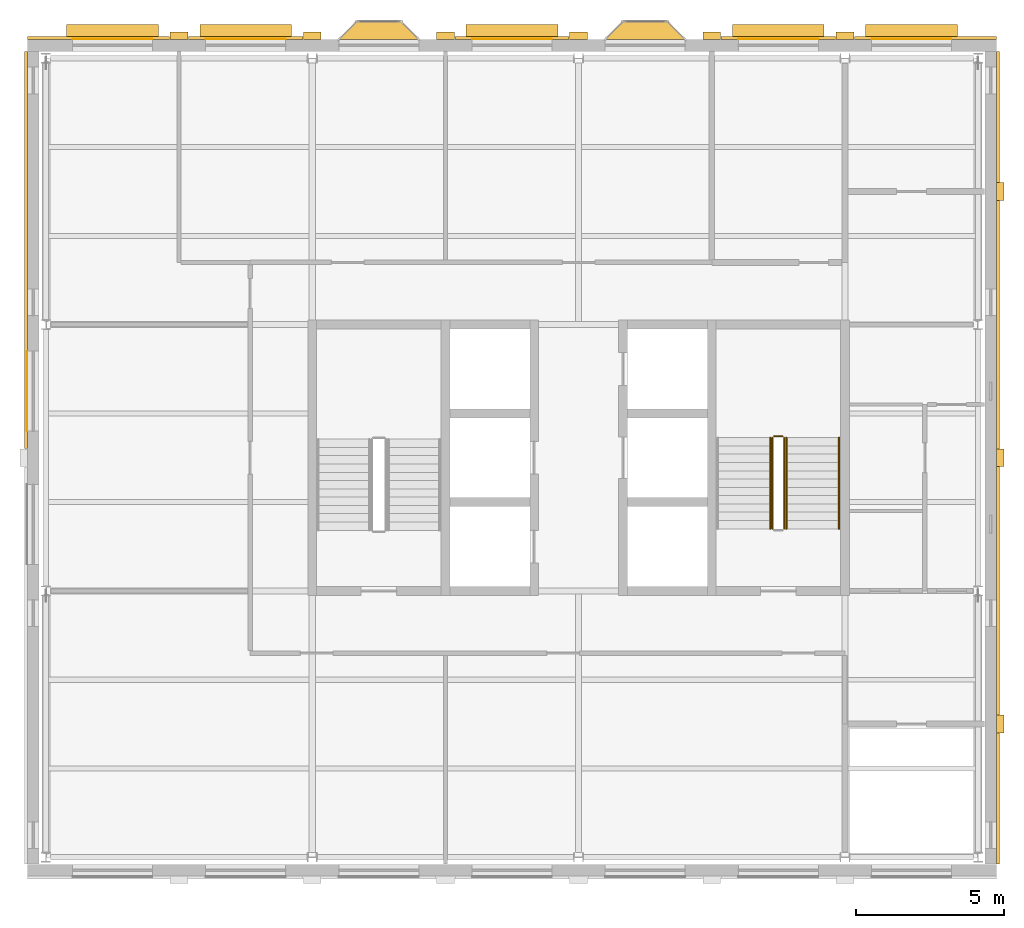
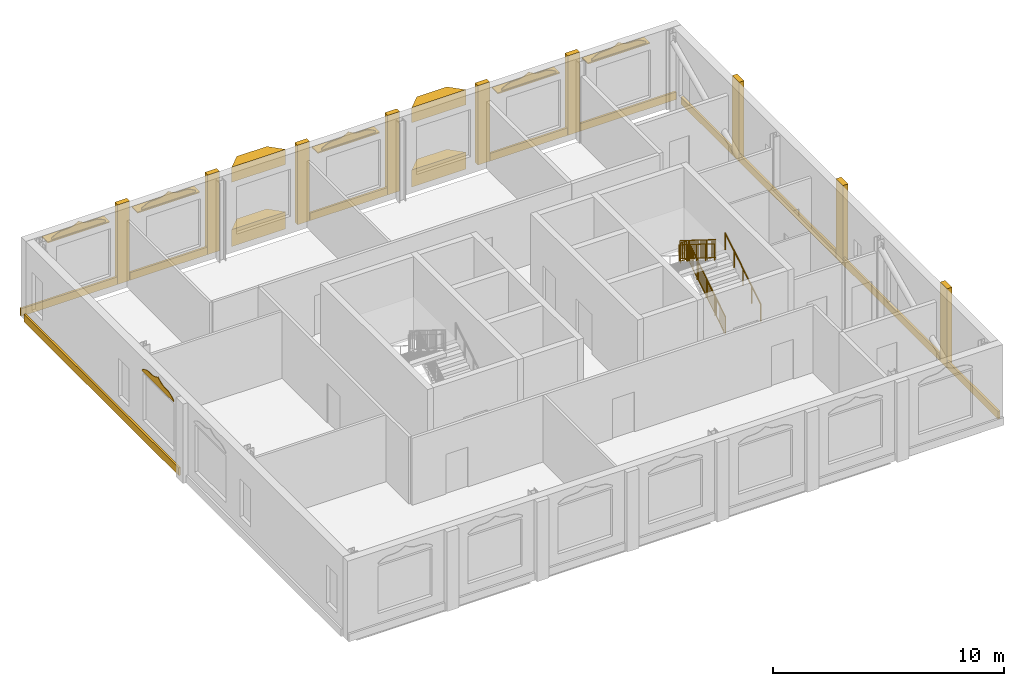
# One storey, part 9 of 9: 26 coverings, 6 railings, 5 shading devices.
"""IFC4 building model written with IfcOpenShell, lengths in metres."""

from ifc_helpers import new_model, si_unit, direction, frame, origin, origin_2d, place, context, subcontext, project, spatial, polyline, rectangle, circle, outline, extrude, material, layer, layer_set, type_object, element, save


model = new_model("IFC4")

# Units and contexts
model_context = context("Model", 3, precision=1e-05, world=origin(), true_north=direction((0.0, 1.0)))
body_context = subcontext(model_context, "Body", "Model", "MODEL_VIEW")
ifc_project = project(units=[si_unit("LENGTHUNIT", "METRE"), si_unit("AREAUNIT", "SQUARE_METRE"), si_unit("VOLUMEUNIT", "CUBIC_METRE"), si_unit("PLANEANGLEUNIT", "RADIAN"), si_unit("MASSUNIT", "GRAM", prefix="KILO")], contexts=[model_context])

# Site, building, storey
site_placement = place(None, origin())
site = spatial("IfcSite", under=ifc_project, at=site_placement, CompositionType="ELEMENT")
building_placement = place(site_placement, origin())
building = spatial("IfcBuilding", under=site, at=building_placement, Name="Hortulan Conservatory and Botanical Research Centre", CompositionType="ELEMENT")
storey_placement = place(building_placement, frame((0.0, 0.0, 31.800048828125)))
storey = spatial("IfcBuildingStorey", under=building, at=storey_placement, Name="L07", CompositionType="ELEMENT", Elevation=31.800048828125)

# Shading devices
ifc_material_1 = material(Name="Bronze-finished perforated aluminium", Category="aluminium")
ifc_layer_1 = layer(ifc_material_1, 0.06005859375)
ifc_layer_set_1 = layer_set([ifc_layer_1], Name="Catenary Hood 3100x500x60")
shading_device_type = type_object("IfcShadingDeviceType", Name="Catenary Hood 3100x500x60", PredefinedType="USERDEFINED", material=ifc_layer_set_1)
for number, where, z_axis, x_axis, name in (
    (1, (2.25, 27.885986328125, 3.409912109375), (0.0, 0.0, 1.0), (1.0, 0.0, 0.0), "Catenary hood"),
    (2, (6.75, 27.885986328125, 3.409912109375), (0.0, 0.0, 1.0), (1.0, 0.0, 0.0), "Catenary hood"),
    (3, (15.75, 27.885986328125, 3.409912109375), (0.0, 0.0, 1.0), (1.0, 0.0, 0.0), "Catenary hood"),
    (4, (24.75, 27.885986328125, 3.409912109375), (0.0, 0.0, 1.0), (1.0, 0.0, 0.0), "Catenary hood"),
    (5, (29.25, 27.885986328125, 3.409912109375), (0.0, 0.0, 1.0), (1.0, 0.0, 0.0), "Catenary hood"),
):
    element("IfcShadingDevice", number, at=place(storey_placement, frame(where, z_axis=z_axis, x_axis=x_axis)), inside=storey, type_object=shading_device_type, Name=name, ObjectType="Catenary hood", PredefinedType="USERDEFINED", context=body_context, shape_type="SweptSolid", body=[
        extrude(rectangle(XDim=3.10009765625, YDim=0.5, at=origin_2d()), origin(), (0.0, 0.0, 1.0), 0.06005859375),
    ])

# Coverings
ifc_material_2 = material(Name="Faience cladding, cream glaze (non-combustible)", Category="ceramic")
ifc_layer_2 = layer(ifc_material_2, 0.030029296875)
ifc_layer_set_2 = layer_set([ifc_layer_2], Name="Faience Ogee Head Panel Cream 2700x500")
covering_type_1 = type_object("IfcCoveringType", Name="Faience Ogee Head Panel Cream 2700x500", PredefinedType="CLADDING", material=ifc_layer_set_2)
for number, where, z_axis, x_axis, name in (
    (6, (-0.639892578125, 14.39990234375, 3.52001953125), (0.0, 0.0, 1.0), (0.0, 1.0, 0.0), "Ogee head panel"),
    (7, (14.39990234375, 27.65087890625, 3.52001953125), (0.0, 0.0, 1.0), (1.0, 0.0, 0.0), "Ogee head panel"),
):
    element("IfcCovering", number, at=place(storey_placement, frame(where, z_axis=z_axis, x_axis=x_axis)), inside=storey, type_object=covering_type_1, Name=name, PredefinedType="CLADDING", context=body_context, shape_type="SweptSolid", body=[
        extrude(outline(polyline([(0.0, 0.0), (2.699951171875, 0.0), (2.699951171875, 0.079833984375), (2.58740234375, 0.1484375), (2.47509765625, 0.208251953125), (2.362548828125, 0.252197265625), (2.25, 0.278076171875), (2.137451171875, 0.28857421875), (2.02490234375, 0.2900390625), (1.91259765625, 0.291259765625), (1.800048828125, 0.3017578125), (1.6875, 0.32763671875), (1.574951171875, 0.371826171875), (1.46240234375, 0.431396484375), (1.35009765625, 0.5), (1.237548828125, 0.431396484375), (1.125, 0.371826171875), (1.012451171875, 0.32763671875), (0.89990234375, 0.3017578125), (0.78759765625, 0.291259765625), (0.675048828125, 0.2900390625), (0.5625, 0.28857421875), (0.449951171875, 0.278076171875), (0.33740234375, 0.252197265625), (0.22509765625, 0.208251953125), (0.112548828125, 0.1484375), (0.0, 0.079833984375), (0.0, 0.0)])), frame((0.0, 0.01513671875, 0.0), z_axis=(0.0, -1.0, 0.0), x_axis=(1.0, 0.0, 0.0)), (0.0, 0.0, 1.0), 0.030029296875),
    ])
ifc_material_3 = material(Name="Faience cladding, waratah crimson glaze (non-combustible)", Category="ceramic")
ifc_layer_3 = layer(ifc_material_3, 0.030029296875)
ifc_layer_set_3 = layer_set([ifc_layer_3], Name="Faience Ogee Head Panel Crimson 2700x500")
covering_type_2 = type_object("IfcCoveringType", Name="Faience Ogee Head Panel Crimson 2700x500", PredefinedType="CLADDING", material=ifc_layer_set_3)
for number, where, z_axis, x_axis, name in (
    (8, (0.89990234375, 27.65087890625, 3.52001953125), (0.0, 0.0, 1.0), (1.0, 0.0, 0.0), "Ogee head panel"),
    (9, (23.39990234375, 27.65087890625, 3.52001953125), (0.0, 0.0, 1.0), (1.0, 0.0, 0.0), "Ogee head panel"),
    (10, (27.89990234375, 27.65087890625, 3.52001953125), (0.0, 0.0, 1.0), (1.0, 0.0, 0.0), "Ogee head panel"),
):
    element("IfcCovering", number, at=place(storey_placement, frame(where, z_axis=z_axis, x_axis=x_axis)), inside=storey, type_object=covering_type_2, Name=name, PredefinedType="CLADDING", context=body_context, shape_type="SweptSolid", body=[
        extrude(outline(polyline([(0.0, 0.0), (2.699951171875, 0.0), (2.699951171875, 0.079833984375), (2.58740234375, 0.1484375), (2.47509765625, 0.208251953125), (2.362548828125, 0.252197265625), (2.25, 0.278076171875), (2.137451171875, 0.28857421875), (2.02490234375, 0.2900390625), (1.91259765625, 0.291259765625), (1.800048828125, 0.3017578125), (1.6875, 0.32763671875), (1.574951171875, 0.371826171875), (1.46240234375, 0.431396484375), (1.35009765625, 0.5), (1.237548828125, 0.431396484375), (1.125, 0.371826171875), (1.012451171875, 0.32763671875), (0.89990234375, 0.3017578125), (0.78759765625, 0.291259765625), (0.675048828125, 0.2900390625), (0.5625, 0.28857421875), (0.449951171875, 0.278076171875), (0.33740234375, 0.252197265625), (0.22509765625, 0.208251953125), (0.112548828125, 0.1484375), (0.0, 0.079833984375), (0.0, 0.0)])), frame((0.0, 0.01513671875, 0.0), z_axis=(0.0, -1.0, 0.0), x_axis=(1.0, 0.0, 0.0)), (0.0, 0.0, 1.0), 0.030029296875),
    ])
ifc_material_4 = material(Name="Faience cladding, harbour teal glaze (non-combustible)", Category="ceramic")
ifc_layer_4 = layer(ifc_material_4, 0.030029296875)
ifc_layer_set_4 = layer_set([ifc_layer_4], Name="Faience Ogee Head Panel Teal 2700x500")
covering_type_3 = type_object("IfcCoveringType", Name="Faience Ogee Head Panel Teal 2700x500", PredefinedType="CLADDING", material=ifc_layer_set_4)
covering_1_placement = place(storey_placement, frame((5.39990234375, 27.65087890625, 3.52001953125), z_axis=(0.0, 0.0, 1.0), x_axis=(1.0, 0.0, 0.0)))
element("IfcCovering", 11, at=covering_1_placement, inside=storey, type_object=covering_type_3, Name="Ogee head panel", PredefinedType="CLADDING", context=body_context, shape_type="SweptSolid", body=[
    extrude(outline(polyline([(0.0, 0.0), (2.699951171875, 0.0), (2.699951171875, 0.079833984375), (2.58740234375, 0.1484375), (2.47509765625, 0.208251953125), (2.362548828125, 0.252197265625), (2.25, 0.278076171875), (2.137451171875, 0.28857421875), (2.02490234375, 0.2900390625), (1.91259765625, 0.291259765625), (1.800048828125, 0.3017578125), (1.6875, 0.32763671875), (1.574951171875, 0.371826171875), (1.46240234375, 0.431396484375), (1.35009765625, 0.5), (1.237548828125, 0.431396484375), (1.125, 0.371826171875), (1.012451171875, 0.32763671875), (0.89990234375, 0.3017578125), (0.78759765625, 0.291259765625), (0.675048828125, 0.2900390625), (0.5625, 0.28857421875), (0.449951171875, 0.278076171875), (0.33740234375, 0.252197265625), (0.22509765625, 0.208251953125), (0.112548828125, 0.1484375), (0.0, 0.079833984375), (0.0, 0.0)])), frame((0.0, 0.01513671875, 0.0), z_axis=(0.0, -1.0, 0.0), x_axis=(1.0, 0.0, 0.0)), (0.0, 0.0, 1.0), 0.030029296875),
])
ifc_material_5 = material(Name="Faience-faced brickwork masonry", Category="masonry")
covering_type_4 = type_object("IfcCoveringType", Name="Faience Oriel Base", PredefinedType="CLADDING", material=ifc_material_5)
covering_2_placement = place(storey_placement, origin())
element("IfcCovering", 12, at=covering_2_placement, inside=storey, type_object=covering_type_4, Name="Oriel base", PredefinedType="CLADDING", context=body_context, shape_type="SweptSolid", body=[
    extrude(outline(polyline([(9.89990234375, 27.635986328125), (10.5, 28.236083984375), (12.0, 28.236083984375), (12.60009765625, 27.635986328125), (9.89990234375, 27.635986328125)])), origin(), (0.0, 0.0, 1.0), 0.89990234375),
])
covering_3_placement = place(storey_placement, origin())
element("IfcCovering", 13, at=covering_3_placement, inside=storey, type_object=covering_type_4, Name="Oriel base", PredefinedType="CLADDING", context=body_context, shape_type="SweptSolid", body=[
    extrude(outline(polyline([(18.89990234375, 27.635986328125), (19.5, 28.236083984375), (21.0, 28.236083984375), (21.60009765625, 27.635986328125), (18.89990234375, 27.635986328125)])), origin(), (0.0, 0.0, 1.0), 0.89990234375),
])
covering_type_5 = type_object("IfcCoveringType", Name="Faience Oriel Frieze", PredefinedType="CLADDING", material=ifc_material_5)
covering_4_placement = place(storey_placement, frame((0.0, 0.0, 3.39990234375)))
element("IfcCovering", 14, at=covering_4_placement, inside=storey, type_object=covering_type_5, Name="Oriel frieze", PredefinedType="CLADDING", context=body_context, shape_type="SweptSolid", body=[
    extrude(outline(polyline([(9.89990234375, 27.635986328125), (10.5, 28.236083984375), (12.0, 28.236083984375), (12.60009765625, 27.635986328125), (9.89990234375, 27.635986328125)])), origin(), (0.0, 0.0, 1.0), 0.800048828125),
])
covering_5_placement = place(storey_placement, frame((0.0, 0.0, 3.39990234375)))
element("IfcCovering", 15, at=covering_5_placement, inside=storey, type_object=covering_type_5, Name="Oriel frieze", PredefinedType="CLADDING", context=body_context, shape_type="SweptSolid", body=[
    extrude(outline(polyline([(18.89990234375, 27.635986328125), (19.5, 28.236083984375), (21.0, 28.236083984375), (21.60009765625, 27.635986328125), (18.89990234375, 27.635986328125)])), origin(), (0.0, 0.0, 1.0), 0.800048828125),
])
ifc_layer_5 = layer(ifc_material_2, 0.25)
ifc_layer_set_5 = layer_set([ifc_layer_5], Name="Faience Pilaster 600x250")
covering_type_6 = type_object("IfcCoveringType", Name="Faience Pilaster 600x250", PredefinedType="CLADDING", material=ifc_layer_set_5)
for number, where, z_axis, x_axis, name in (
    (16, (4.5, 27.760986328125, 0.0), (0.0, 0.0, 1.0), (1.0, 0.0, 0.0), "Pier"),
    (17, (9.0, 27.760986328125, 0.0), (0.0, 0.0, 1.0), (1.0, 0.0, 0.0), "Pier"),
    (18, (13.5, 27.760986328125, 0.0), (0.0, 0.0, 1.0), (1.0, 0.0, 0.0), "Pier"),
    (19, (18.0, 27.760986328125, 0.0), (0.0, 0.0, 1.0), (1.0, 0.0, 0.0), "Pier"),
    (20, (22.5, 27.760986328125, 0.0), (0.0, 0.0, 1.0), (1.0, 0.0, 0.0), "Pier"),
    (21, (27.0, 27.760986328125, 0.0), (0.0, 0.0, 1.0), (1.0, 0.0, 0.0), "Pier"),
    (22, (32.25, 4.5, 0.0), (0.0, 0.0, 1.0), (0.0, 1.0, 0.0), "Pier"),
    (23, (32.25, 13.5, 0.0), (0.0, 0.0, 1.0), (0.0, 1.0, 0.0), "Pier"),
    (24, (32.25, 22.5, 0.0), (0.0, 0.0, 1.0), (0.0, 1.0, 0.0), "Pier"),
):
    element("IfcCovering", number, at=place(storey_placement, frame(where, z_axis=z_axis, x_axis=x_axis)), inside=storey, type_object=covering_type_6, Name=name, PredefinedType="CLADDING", context=body_context, shape_type="SweptSolid", body=[
        extrude(rectangle(XDim=0.60009765625, YDim=0.25, at=origin_2d()), origin(), (0.0, 0.0, 1.0), 4.199951171875),
    ])
ifc_layer_6 = layer(ifc_material_4, 0.10009765625)
ifc_layer_set_6 = layer_set([ifc_layer_6], Name="Faience String Course 400x100 Teal")
covering_type_7 = type_object("IfcCoveringType", Name="Faience String Course 400x100 Teal", PredefinedType="CLADDING", material=ifc_layer_set_6)
covering_6_placement = place(storey_placement, frame((-0.675048828125, 20.5224609375, 0.0), z_axis=(0.0, 0.0, 1.0), x_axis=(0.0, 1.0, 0.0)))
element("IfcCovering", 25, at=covering_6_placement, inside=storey, type_object=covering_type_7, Name="String course", PredefinedType="CLADDING", context=body_context, shape_type="SweptSolid", body=[
    extrude(rectangle(XDim=13.405029296875, YDim=0.10009765625, at=origin_2d()), origin(), (0.0, 0.0, 1.0), 0.39990234375),
])
covering_7_placement = place(storey_placement, frame((1.777587890625, 27.68603515625, 0.0), z_axis=(0.0, 0.0, 1.0), x_axis=(1.0, 0.0, 0.0)))
element("IfcCovering", 26, at=covering_7_placement, inside=storey, type_object=covering_type_7, Name="String course", PredefinedType="CLADDING", context=body_context, shape_type="SweptSolid", body=[
    extrude(rectangle(XDim=4.804931640625, YDim=0.10009765625, at=origin_2d()), origin(), (0.0, 0.0, 1.0), 0.39990234375),
])
for number, where, z_axis, x_axis, name in (
    (27, (6.75, 27.68603515625, 0.0), (0.0, 0.0, 1.0), (1.0, 0.0, 0.0), "String course"),
    (28, (15.75, 27.68603515625, 0.0), (0.0, 0.0, 1.0), (1.0, 0.0, 0.0), "String course"),
    (29, (24.75, 27.68603515625, 0.0), (0.0, 0.0, 1.0), (1.0, 0.0, 0.0), "String course"),
):
    element("IfcCovering", number, at=place(storey_placement, frame(where, z_axis=z_axis, x_axis=x_axis)), inside=storey, type_object=covering_type_7, Name=name, PredefinedType="CLADDING", context=body_context, shape_type="SweptSolid", body=[
        extrude(rectangle(XDim=3.860107421875, YDim=0.10009765625, at=origin_2d()), origin(), (0.0, 0.0, 1.0), 0.39990234375),
    ])
covering_8_placement = place(storey_placement, frame((29.722412109375, 27.68603515625, 0.0), z_axis=(0.0, 0.0, 1.0), x_axis=(1.0, 0.0, 0.0)))
element("IfcCovering", 30, at=covering_8_placement, inside=storey, type_object=covering_type_7, Name="String course", PredefinedType="CLADDING", context=body_context, shape_type="SweptSolid", body=[
    extrude(rectangle(XDim=4.804931640625, YDim=0.10009765625, at=origin_2d()), origin(), (0.0, 0.0, 1.0), 0.39990234375),
])
covering_9_placement = place(storey_placement, frame((32.175048828125, 13.5, 0.0), z_axis=(0.0, 0.0, 1.0), x_axis=(0.0, -1.0, 0.0)))
element("IfcCovering", 31, at=covering_9_placement, inside=storey, type_object=covering_type_7, Name="String course", PredefinedType="CLADDING", context=body_context, shape_type="SweptSolid", body=[
    extrude(rectangle(XDim=27.449951171875, YDim=0.10009765625, at=origin_2d()), origin(), (0.0, 0.0, 1.0), 0.39990234375),
])

# Railings
ifc_material_6 = material(Name="Steel balustrade, bronze-charcoal paint", Category="steel")
railing_type_1 = type_object("IfcRailingType", Name="Stair Guard 1100", PredefinedType="GUARDRAIL", material=ifc_material_6)
railing_1_placement = place(storey_placement, frame((24.949951171875, 11.10009765625, 0.175048828125)))
element("IfcRailing", 32, at=railing_1_placement, inside=storey, type_object=railing_type_1, Name="Guard T2 L07 stair 1", PredefinedType="GUARDRAIL", context=body_context, shape_type="SweptSolid", body=[
    extrude(circle(Radius=0.02392578125, at=origin_2d()), frame((0.0, 0.0, 1.076171875), z_axis=(0.0, 0.848009633417, 0.529980812513), x_axis=(-1.0, 0.0, 0.0)), (0.0, 0.0, 1.0), 3.6318359375),
    extrude(circle(Radius=0.02392578125, at=origin_2d()), frame((0.0, 0.0, 0.1240234375), z_axis=(0.0, 0.848009633417, 0.529980812513), x_axis=(-1.0, 0.0, 0.0)), (0.0, 0.0, 1.0), 3.6318359375),
    extrude(circle(Radius=0.008056640625, at=origin_2d()), frame((0.0, 0.090576171875, 0.204833984375)), (0.0, 0.0, 1.0), 0.90380859375),
    extrude(circle(Radius=0.008056640625, at=origin_2d()), frame((0.0, 0.18115234375, 0.261474609375)), (0.0, 0.0, 1.0), 0.90380859375),
    extrude(circle(Radius=0.008056640625, at=origin_2d()), frame((0.0, 0.271728515625, 0.318115234375)), (0.0, 0.0, 1.0), 0.90380859375),
    extrude(circle(Radius=0.008056640625, at=origin_2d()), frame((0.0, 0.3623046875, 0.374755859375)), (0.0, 0.0, 1.0), 0.90380859375),
    extrude(circle(Radius=0.008056640625, at=origin_2d()), frame((0.0, 0.452880859375, 0.43115234375)), (0.0, 0.0, 1.0), 0.90380859375),
    extrude(circle(Radius=0.008056640625, at=origin_2d()), frame((0.0, 0.54345703125, 0.48779296875)), (0.0, 0.0, 1.0), 0.90380859375),
    extrude(circle(Radius=0.008056640625, at=origin_2d()), frame((0.0, 0.634033203125, 0.54443359375)), (0.0, 0.0, 1.0), 0.90380859375),
    extrude(circle(Radius=0.008056640625, at=origin_2d()), frame((0.0, 0.724609375, 0.60107421875)), (0.0, 0.0, 1.0), 0.90380859375),
    extrude(circle(Radius=0.008056640625, at=origin_2d()), frame((0.0, 0.815185546875, 0.65771484375)), (0.0, 0.0, 1.0), 0.90380859375),
    extrude(circle(Radius=0.008056640625, at=origin_2d()), frame((0.0, 0.90576171875, 0.71435546875)), (0.0, 0.0, 1.0), 0.90380859375),
    extrude(circle(Radius=0.008056640625, at=origin_2d()), frame((0.0, 0.996337890625, 0.77099609375)), (0.0, 0.0, 1.0), 0.90380859375),
    extrude(circle(Radius=0.008056640625, at=origin_2d()), frame((0.0, 1.0869140625, 0.82763671875)), (0.0, 0.0, 1.0), 0.90380859375),
    extrude(circle(Radius=0.008056640625, at=origin_2d()), frame((0.0, 1.177490234375, 0.884033203125)), (0.0, 0.0, 1.0), 0.90380859375),
    extrude(circle(Radius=0.008056640625, at=origin_2d()), frame((0.0, 1.26806640625, 0.940673828125)), (0.0, 0.0, 1.0), 0.90380859375),
    extrude(circle(Radius=0.008056640625, at=origin_2d()), frame((0.0, 1.358642578125, 0.997314453125)), (0.0, 0.0, 1.0), 0.90380859375),
    extrude(circle(Radius=0.008056640625, at=origin_2d()), frame((0.0, 1.44921875, 1.053955078125)), (0.0, 0.0, 1.0), 0.90380859375),
    extrude(circle(Radius=0.008056640625, at=origin_2d()), frame((0.0, 1.5400390625, 1.110595703125)), (0.0, 0.0, 1.0), 0.90380859375),
    extrude(circle(Radius=0.008056640625, at=origin_2d()), frame((0.0, 1.630615234375, 1.167236328125)), (0.0, 0.0, 1.0), 0.90380859375),
    extrude(circle(Radius=0.008056640625, at=origin_2d()), frame((0.0, 1.72119140625, 1.223876953125)), (0.0, 0.0, 1.0), 0.90380859375),
    extrude(circle(Radius=0.008056640625, at=origin_2d()), frame((0.0, 1.811767578125, 1.280517578125)), (0.0, 0.0, 1.0), 0.90380859375),
    extrude(circle(Radius=0.008056640625, at=origin_2d()), frame((0.0, 1.90234375, 1.337158203125)), (0.0, 0.0, 1.0), 0.90380859375),
    extrude(circle(Radius=0.008056640625, at=origin_2d()), frame((0.0, 1.992919921875, 1.3935546875)), (0.0, 0.0, 1.0), 0.90380859375),
    extrude(circle(Radius=0.008056640625, at=origin_2d()), frame((0.0, 2.08349609375, 1.4501953125)), (0.0, 0.0, 1.0), 0.90380859375),
    extrude(circle(Radius=0.008056640625, at=origin_2d()), frame((0.0, 2.174072265625, 1.5068359375)), (0.0, 0.0, 1.0), 0.90380859375),
    extrude(circle(Radius=0.008056640625, at=origin_2d()), frame((0.0, 2.2646484375, 1.5634765625)), (0.0, 0.0, 1.0), 0.90380859375),
    extrude(circle(Radius=0.008056640625, at=origin_2d()), frame((0.0, 2.355224609375, 1.6201171875)), (0.0, 0.0, 1.0), 0.90380859375),
    extrude(circle(Radius=0.008056640625, at=origin_2d()), frame((0.0, 2.44580078125, 1.6767578125)), (0.0, 0.0, 1.0), 0.90380859375),
    extrude(circle(Radius=0.008056640625, at=origin_2d()), frame((0.0, 2.536376953125, 1.7333984375)), (0.0, 0.0, 1.0), 0.90380859375),
    extrude(circle(Radius=0.008056640625, at=origin_2d()), frame((0.0, 2.626953125, 1.7900390625)), (0.0, 0.0, 1.0), 0.90380859375),
    extrude(circle(Radius=0.008056640625, at=origin_2d()), frame((0.0, 2.717529296875, 1.846435546875)), (0.0, 0.0, 1.0), 0.90380859375),
    extrude(circle(Radius=0.008056640625, at=origin_2d()), frame((0.0, 2.80810546875, 1.903076171875)), (0.0, 0.0, 1.0), 0.90380859375),
    extrude(circle(Radius=0.008056640625, at=origin_2d()), frame((0.0, 2.898681640625, 1.959716796875)), (0.0, 0.0, 1.0), 0.90380859375),
    extrude(circle(Radius=0.008056640625, at=origin_2d()), frame((0.0, 2.9892578125, 2.016357421875)), (0.0, 0.0, 1.0), 0.90380859375),
    extrude(circle(Radius=0.02099609375, at=origin_2d()), origin(), (0.0, 0.0, 1.0), 1.052001953125),
    extrude(circle(Radius=0.02099609375, at=origin_2d()), frame((0.0, 0.77001953125, 0.481201171875)), (0.0, 0.0, 1.0), 1.052001953125),
    extrude(circle(Radius=0.02099609375, at=origin_2d()), frame((0.0, 1.5400390625, 0.96240234375)), (0.0, 0.0, 1.0), 1.052001953125),
    extrude(circle(Radius=0.02099609375, at=origin_2d()), frame((0.0, 2.309814453125, 1.443603515625)), (0.0, 0.0, 1.0), 1.052001953125),
    extrude(circle(Radius=0.02099609375, at=origin_2d()), frame((0.0, 3.079833984375, 1.9248046875)), (0.0, 0.0, 1.0), 1.052001953125),
])
railing_2_placement = place(storey_placement, frame((24.89990234375, 14.22998046875, 2.099853515625)))
element("IfcRailing", 33, at=railing_2_placement, inside=storey, type_object=railing_type_1, Name="Guard T2 L07 stair 2", PredefinedType="GUARDRAIL", context=body_context, shape_type="SweptSolid", body=[
    extrude(circle(Radius=0.02392578125, at=origin_2d()), frame((0.0, 0.0, 1.076171875), z_axis=(-1.0, 0.0, 0.0), x_axis=(0.0, -1.0, 0.0)), (0.0, 0.0, 1.0), 0.2998046875),
    extrude(circle(Radius=0.02392578125, at=origin_2d()), frame((0.0, 0.0, 0.1240234375), z_axis=(-1.0, 0.0, 0.0), x_axis=(0.0, -1.0, 0.0)), (0.0, 0.0, 1.0), 0.2998046875),
    extrude(circle(Radius=0.008056640625, at=origin_2d()), frame((-0.099853515625, 0.0, 0.148193359375)), (0.0, 0.0, 1.0), 0.90380859375),
    extrude(circle(Radius=0.008056640625, at=origin_2d()), frame((-0.199951171875, 0.0, 0.148193359375)), (0.0, 0.0, 1.0), 0.90380859375),
    extrude(circle(Radius=0.02099609375, at=origin_2d()), origin(), (0.0, 0.0, 1.0), 1.052001953125),
    extrude(circle(Radius=0.02099609375, at=origin_2d()), frame((-0.2998046875, 0.0, 0.0)), (0.0, 0.0, 1.0), 1.052001953125),
])
railing_3_placement = place(storey_placement, frame((24.550048828125, 14.179931640625, 2.27490234375)))
element("IfcRailing", 34, at=railing_3_placement, inside=storey, type_object=railing_type_1, Name="Guard T2 L07 stair 3", PredefinedType="GUARDRAIL", context=body_context, shape_type="SweptSolid", body=[
    extrude(circle(Radius=0.02392578125, at=origin_2d()), frame((0.0, 0.0, 1.076171875), z_axis=(0.0, -0.847979421464, 0.530029150871), x_axis=(1.0, 0.0, 0.0)), (0.0, 0.0, 1.0), 3.632080078125),
    extrude(circle(Radius=0.02392578125, at=origin_2d()), frame((0.0, 0.0, 0.1240234375), z_axis=(0.0, -0.847979421464, 0.530029150871), x_axis=(1.0, 0.0, 0.0)), (0.0, 0.0, 1.0), 3.632080078125),
    extrude(circle(Radius=0.008056640625, at=origin_2d()), frame((0.0, -0.090576171875, 0.204833984375)), (0.0, 0.0, 1.0), 0.90380859375),
    extrude(circle(Radius=0.008056640625, at=origin_2d()), frame((0.0, -0.18115234375, 0.261474609375)), (0.0, 0.0, 1.0), 0.90380859375),
    extrude(circle(Radius=0.008056640625, at=origin_2d()), frame((0.0, -0.271728515625, 0.318115234375)), (0.0, 0.0, 1.0), 0.90380859375),
    extrude(circle(Radius=0.008056640625, at=origin_2d()), frame((0.0, -0.3623046875, 0.374755859375)), (0.0, 0.0, 1.0), 0.90380859375),
    extrude(circle(Radius=0.008056640625, at=origin_2d()), frame((0.0, -0.452880859375, 0.431396484375)), (0.0, 0.0, 1.0), 0.90380859375),
    extrude(circle(Radius=0.008056640625, at=origin_2d()), frame((0.0, -0.54345703125, 0.48779296875)), (0.0, 0.0, 1.0), 0.90380859375),
    extrude(circle(Radius=0.008056640625, at=origin_2d()), frame((0.0, -0.634033203125, 0.54443359375)), (0.0, 0.0, 1.0), 0.90380859375),
    extrude(circle(Radius=0.008056640625, at=origin_2d()), frame((0.0, -0.724609375, 0.60107421875)), (0.0, 0.0, 1.0), 0.90380859375),
    extrude(circle(Radius=0.008056640625, at=origin_2d()), frame((0.0, -0.815185546875, 0.65771484375)), (0.0, 0.0, 1.0), 0.90380859375),
    extrude(circle(Radius=0.008056640625, at=origin_2d()), frame((0.0, -0.90576171875, 0.71435546875)), (0.0, 0.0, 1.0), 0.90380859375),
    extrude(circle(Radius=0.008056640625, at=origin_2d()), frame((0.0, -0.996337890625, 0.77099609375)), (0.0, 0.0, 1.0), 0.90380859375),
    extrude(circle(Radius=0.008056640625, at=origin_2d()), frame((0.0, -1.0869140625, 0.82763671875)), (0.0, 0.0, 1.0), 0.90380859375),
    extrude(circle(Radius=0.008056640625, at=origin_2d()), frame((0.0, -1.177490234375, 0.88427734375)), (0.0, 0.0, 1.0), 0.90380859375),
    extrude(circle(Radius=0.008056640625, at=origin_2d()), frame((0.0, -1.26806640625, 0.94091796875)), (0.0, 0.0, 1.0), 0.90380859375),
    extrude(circle(Radius=0.008056640625, at=origin_2d()), frame((0.0, -1.358642578125, 0.99755859375)), (0.0, 0.0, 1.0), 0.90380859375),
    extrude(circle(Radius=0.008056640625, at=origin_2d()), frame((0.0, -1.44921875, 1.05419921875)), (0.0, 0.0, 1.0), 0.90380859375),
    extrude(circle(Radius=0.008056640625, at=origin_2d()), frame((0.0, -1.5400390625, 1.11083984375)), (0.0, 0.0, 1.0), 0.90380859375),
    extrude(circle(Radius=0.008056640625, at=origin_2d()), frame((0.0, -1.630615234375, 1.167236328125)), (0.0, 0.0, 1.0), 0.90380859375),
    extrude(circle(Radius=0.008056640625, at=origin_2d()), frame((0.0, -1.72119140625, 1.223876953125)), (0.0, 0.0, 1.0), 0.90380859375),
    extrude(circle(Radius=0.008056640625, at=origin_2d()), frame((0.0, -1.811767578125, 1.280517578125)), (0.0, 0.0, 1.0), 0.90380859375),
    extrude(circle(Radius=0.008056640625, at=origin_2d()), frame((0.0, -1.90234375, 1.337158203125)), (0.0, 0.0, 1.0), 0.90380859375),
    extrude(circle(Radius=0.008056640625, at=origin_2d()), frame((0.0, -1.992919921875, 1.393798828125)), (0.0, 0.0, 1.0), 0.90380859375),
    extrude(circle(Radius=0.008056640625, at=origin_2d()), frame((0.0, -2.08349609375, 1.450439453125)), (0.0, 0.0, 1.0), 0.90380859375),
    extrude(circle(Radius=0.008056640625, at=origin_2d()), frame((0.0, -2.174072265625, 1.507080078125)), (0.0, 0.0, 1.0), 0.90380859375),
    extrude(circle(Radius=0.008056640625, at=origin_2d()), frame((0.0, -2.2646484375, 1.563720703125)), (0.0, 0.0, 1.0), 0.90380859375),
    extrude(circle(Radius=0.008056640625, at=origin_2d()), frame((0.0, -2.355224609375, 1.620361328125)), (0.0, 0.0, 1.0), 0.90380859375),
    extrude(circle(Radius=0.008056640625, at=origin_2d()), frame((0.0, -2.44580078125, 1.677001953125)), (0.0, 0.0, 1.0), 0.90380859375),
    extrude(circle(Radius=0.008056640625, at=origin_2d()), frame((0.0, -2.536376953125, 1.733642578125)), (0.0, 0.0, 1.0), 0.90380859375),
    extrude(circle(Radius=0.008056640625, at=origin_2d()), frame((0.0, -2.626953125, 1.7900390625)), (0.0, 0.0, 1.0), 0.90380859375),
    extrude(circle(Radius=0.008056640625, at=origin_2d()), frame((0.0, -2.717529296875, 1.8466796875)), (0.0, 0.0, 1.0), 0.90380859375),
    extrude(circle(Radius=0.008056640625, at=origin_2d()), frame((0.0, -2.80810546875, 1.9033203125)), (0.0, 0.0, 1.0), 0.90380859375),
    extrude(circle(Radius=0.008056640625, at=origin_2d()), frame((0.0, -2.898681640625, 1.9599609375)), (0.0, 0.0, 1.0), 0.90380859375),
    extrude(circle(Radius=0.008056640625, at=origin_2d()), frame((0.0, -2.9892578125, 2.0166015625)), (0.0, 0.0, 1.0), 0.90380859375),
    extrude(circle(Radius=0.02099609375, at=origin_2d()), origin(), (0.0, 0.0, 1.0), 1.052001953125),
    extrude(circle(Radius=0.02099609375, at=origin_2d()), frame((0.0, -0.77001953125, 0.481201171875)), (0.0, 0.0, 1.0), 1.052001953125),
    extrude(circle(Radius=0.02099609375, at=origin_2d()), frame((0.0, -1.5400390625, 0.96240234375)), (0.0, 0.0, 1.0), 1.052001953125),
    extrude(circle(Radius=0.02099609375, at=origin_2d()), frame((0.0, -2.309814453125, 1.44384765625)), (0.0, 0.0, 1.0), 1.052001953125),
    extrude(circle(Radius=0.02099609375, at=origin_2d()), frame((0.0, -3.079833984375, 1.925048828125)), (0.0, 0.0, 1.0), 1.052001953125),
])
ifc_material_7 = material(Name="Bronze handrail, polished", Category="metal")
railing_type_2 = type_object("IfcRailingType", Name="Stair Handrail 900", PredefinedType="HANDRAIL", material=ifc_material_7)
for number, where, name in (
    (35, (26.800048828125, 11.10009765625, 0.175048828125), "Handrail T2 L07 stair 1"),
    (36, (25.02001953125, 11.10009765625, 0.175048828125), "Handrail T2 L07 stair 3"),
):
    element("IfcRailing", number, at=place(storey_placement, frame(where)), inside=storey, type_object=railing_type_2, Name=name, PredefinedType="HANDRAIL", context=body_context, shape_type="SweptSolid", body=[
        extrude(circle(Radius=0.02392578125, at=origin_2d()), frame((0.0, 0.0, 0.8759765625), z_axis=(0.0, 0.848009633417, 0.529980812513), x_axis=(-1.0, 0.0, 0.0)), (0.0, 0.0, 1.0), 3.6318359375),
        extrude(circle(Radius=0.02099609375, at=origin_2d()), origin(), (0.0, 0.0, 1.0), 0.851806640625),
        extrude(circle(Radius=0.02099609375, at=origin_2d()), frame((0.0, 0.77001953125, 0.481201171875)), (0.0, 0.0, 1.0), 0.851806640625),
        extrude(circle(Radius=0.02099609375, at=origin_2d()), frame((0.0, 1.5400390625, 0.96240234375)), (0.0, 0.0, 1.0), 0.851806640625),
        extrude(circle(Radius=0.02099609375, at=origin_2d()), frame((0.0, 2.309814453125, 1.443603515625)), (0.0, 0.0, 1.0), 0.851806640625),
        extrude(circle(Radius=0.02099609375, at=origin_2d()), frame((0.0, 3.079833984375, 1.9248046875)), (0.0, 0.0, 1.0), 0.851806640625),
    ])
railing_4_placement = place(storey_placement, frame((24.47998046875, 14.179931640625, 2.27490234375)))
element("IfcRailing", 37, at=railing_4_placement, inside=storey, type_object=railing_type_2, Name="Handrail T2 L07 stair 4", PredefinedType="HANDRAIL", context=body_context, shape_type="SweptSolid", body=[
    extrude(circle(Radius=0.02392578125, at=origin_2d()), frame((0.0, 0.0, 0.8759765625), z_axis=(0.0, -0.847979421464, 0.530029150871), x_axis=(1.0, 0.0, 0.0)), (0.0, 0.0, 1.0), 3.632080078125),
    extrude(circle(Radius=0.02099609375, at=origin_2d()), origin(), (0.0, 0.0, 1.0), 0.851806640625),
    extrude(circle(Radius=0.02099609375, at=origin_2d()), frame((0.0, -0.77001953125, 0.481201171875)), (0.0, 0.0, 1.0), 0.851806640625),
    extrude(circle(Radius=0.02099609375, at=origin_2d()), frame((0.0, -1.5400390625, 0.96240234375)), (0.0, 0.0, 1.0), 0.851806640625),
    extrude(circle(Radius=0.02099609375, at=origin_2d()), frame((0.0, -2.309814453125, 1.44384765625)), (0.0, 0.0, 1.0), 0.851806640625),
    extrude(circle(Radius=0.02099609375, at=origin_2d()), frame((0.0, -3.079833984375, 1.925048828125)), (0.0, 0.0, 1.0), 0.851806640625),
])

save(model, "model.ifc")
